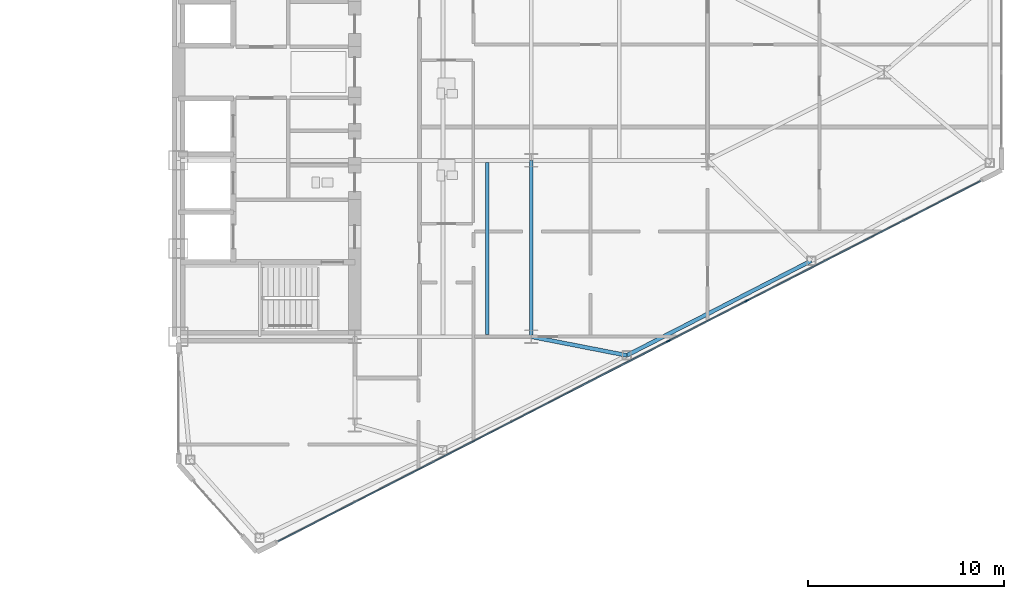
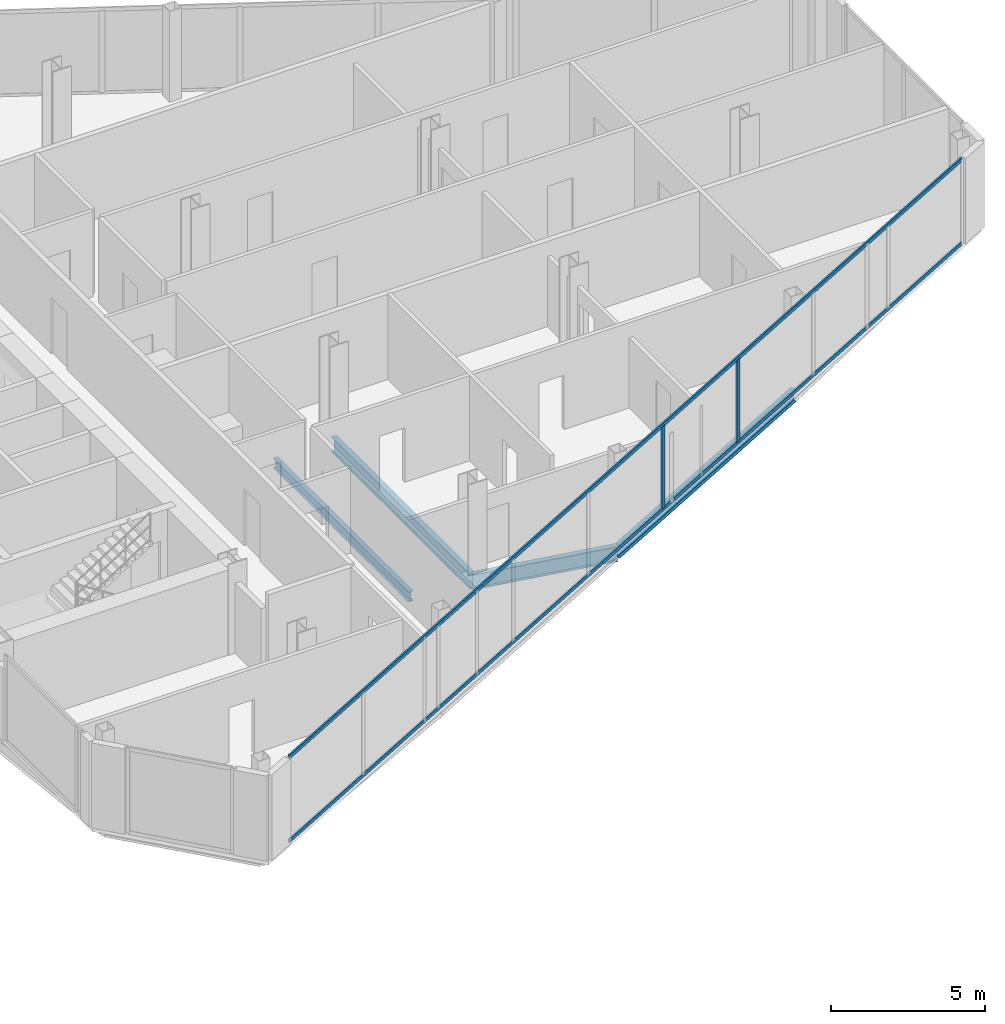
# One storey, part 9 of 24: 4 beams, 4 members, 1 element without a shape of its own.
"""IFC4 building model written with IfcOpenShell, lengths in metres."""

from ifc_helpers import new_model, si_unit, direction, frame, origin, origin_2d, place, context, subcontext, project, spatial, rectangle, i_section, extrude, source, transform, mapped, material, layer, layer_set, material_profile, profile_set, type_object, type_shapes, element, aggregate, save


model = new_model("IFC4")

# Units and contexts
model_context = context("Model", 3, precision=1e-05, world=origin(), true_north=direction((0.0, 1.0)))
body_context = subcontext(model_context, "Body", "Model", "MODEL_VIEW")
ifc_project = project(units=[si_unit("LENGTHUNIT", "METRE"), si_unit("AREAUNIT", "SQUARE_METRE"), si_unit("VOLUMEUNIT", "CUBIC_METRE"), si_unit("PLANEANGLEUNIT", "RADIAN"), si_unit("MASSUNIT", "GRAM", prefix="KILO")], contexts=[model_context])

# Site, building, storey
site_placement = place(None, origin())
site = spatial("IfcSite", under=ifc_project, at=site_placement, CompositionType="ELEMENT")
building_placement = place(site_placement, origin())
building = spatial("IfcBuilding", under=site, at=building_placement, Name="Seokmaru Belvedere", CompositionType="ELEMENT")
storey_placement = place(building_placement, frame((0.0, 0.0, 121.199951171875)))
storey = spatial("IfcBuildingStorey", under=building, at=storey_placement, Name="L32", CompositionType="ELEMENT", Elevation=121.199951171875)

# Beams
ifc_material_1 = material(Name="Steel SM355 (355 MPa)", Category="steel")
ifc_material_profile_1 = material_profile(ifc_material_1, i_section(OverallWidth=0.199951171875, OverallDepth=0.60009765625, WebThickness=0.010986328125, FlangeThickness=0.01708984375, at=origin_2d()), Name="H-600x200x11x17")
ifc_profile_set_1 = profile_set([ifc_material_profile_1], Name="Steel SM355 (355 MPa)")
beam_type_1 = type_object("IfcBeamType", Name="Primary Floor Girder H-600", PredefinedType="BEAM", material=ifc_profile_set_1)
shared_shape_1 = source(origin(), body_context, "Body", "SweptSolid", [
    extrude(i_section(OverallWidth=0.199951171875, OverallDepth=0.60009765625, WebThickness=0.010986328125, FlangeThickness=0.01708984375, at=origin_2d()), origin(), (0.0, 0.0, 1.0), 9.0),
])
beam_1_placement = place(storey_placement, frame((45.5, -13.5, -0.52001953125), z_axis=(0.0, 1.0, 0.0), x_axis=(-1.0, 0.0, 0.0)))
element("IfcBeam", 1, at=beam_1_placement, inside=storey, type_object=beam_type_1, Name="L32 E Interior Grid Girder 1", PredefinedType="BEAM", context=body_context, shape_type="MappedRepresentation", body=[
    mapped(shared_shape_1, transform((0.0, 0.0, 0.0), scale=1.0)),
])
ifc_material_profile_2 = material_profile(ifc_material_1, i_section(OverallWidth=0.18505859375, OverallDepth=0.389892578125, WebThickness=0.008056640625, FlangeThickness=0.011962890625, at=origin_2d()), Name="H-390x185x8x12")
ifc_profile_set_2 = profile_set([ifc_material_profile_2], Name="Steel SM355 (355 MPa)")
beam_type_2 = type_object("IfcBeamType", Name="Secondary Floor Joist H-350", PredefinedType="JOIST", material=ifc_profile_set_2)
shared_shape_2 = source(origin(), body_context, "Body", "SweptSolid", [
    extrude(i_section(OverallWidth=0.18505859375, OverallDepth=0.389892578125, WebThickness=0.008056640625, FlangeThickness=0.011962890625, at=origin_2d()), origin(), (0.0, 0.0, 1.0), 8.7900390625),
])
type_shapes(beam_type_2, [shared_shape_2])
beam_2_placement = place(storey_placement, frame((43.25, -13.39501953125, -0.4150390625), z_axis=(0.0, 1.0, 0.0), x_axis=(-1.0, 0.0, 0.0)))
element("IfcBeam", 2, at=beam_2_placement, inside=storey, type_object=beam_type_2, Name="L32 E Wing Inner Secondary Joist 1", PredefinedType="JOIST", context=body_context, shape_type="MappedRepresentation", body=[
    mapped(shared_shape_2, transform((0.0, 0.0, 0.0), scale=1.0)),
])
ifc_material_profile_3 = material_profile(ifc_material_1, i_section(OverallWidth=0.199951171875, OverallDepth=0.5, WebThickness=0.010009765625, FlangeThickness=0.01611328125, at=origin_2d()), Name="H-500x200x10x16")
ifc_profile_set_3 = profile_set([ifc_material_profile_3], Name="Steel SM355 (355 MPa)")
beam_type_3 = type_object("IfcBeamType", Name="Perimeter Spandrel Beam H-500", PredefinedType="SPANDREL", material=ifc_profile_set_3)
shared_shape_3 = source(origin(), body_context, "Body", "SweptSolid", [
    extrude(i_section(OverallWidth=0.199951171875, OverallDepth=0.5, WebThickness=0.010009765625, FlangeThickness=0.01611328125, at=origin_2d()), origin(), (0.0, 0.0, 1.0), 10.56689453125),
])
type_shapes(beam_type_3, [shared_shape_3])
beam_3_placement = place(storey_placement, frame((50.377197265625, -14.453369140625, -0.469970703125), z_axis=(0.889692588006, 0.456560071455, 0.0), x_axis=(-0.456560071455, 0.889692588006, 0.0)))
element("IfcBeam", 3, at=beam_3_placement, inside=storey, type_object=beam_type_3, Name="L32 E Faceted Flank Spandrel S-3", PredefinedType="SPANDREL", context=body_context, shape_type="MappedRepresentation", body=[
    mapped(shared_shape_3, transform((0.0, 0.0, 0.0), scale=1.0)),
])
shared_shape_4 = source(origin(), body_context, "Body", "SweptSolid", [
    extrude(i_section(OverallWidth=0.199951171875, OverallDepth=0.60009765625, WebThickness=0.010986328125, FlangeThickness=0.01708984375, at=origin_2d()), origin(), (0.0, 0.0, 1.0), 4.969482421875),
])
type_shapes(beam_type_1, [shared_shape_1, shared_shape_4])
beam_4_placement = place(storey_placement, frame((50.377197265625, -14.453369140625, -0.52001953125), z_axis=(-0.98142544456, 0.19184393858, 0.0), x_axis=(-0.19184393858, -0.98142544456, 0.0)))
element("IfcBeam", 4, at=beam_4_placement, inside=storey, type_object=beam_type_1, Name="L32 E Flank Radial Floor Girder S-2", PredefinedType="BEAM", context=body_context, shape_type="MappedRepresentation", body=[
    mapped(shared_shape_4, transform((0.0, 0.0, 0.0), scale=1.0)),
])

# Curtain wall, members
ifc_material_2 = material(Name="Bronze Triple Insulating Glass", Category="glass")
ifc_layer = layer(ifc_material_2, 0.195068359375)
ifc_layer_set = layer_set([ifc_layer], Name="Bronze Triple Insulating Glass")
curtain_wall_type = type_object("IfcCurtainWallType", Name="Sky-Lobby and Mid-Rise Curtain Wall System CW-4", PredefinedType="NOTDEFINED", material=ifc_layer_set)
curtain_wall_placement = place(storey_placement, origin())
curtain_wall = element("IfcCurtainWall", 5, at=curtain_wall_placement, inside=storey, type_object=curtain_wall_type, Name="L32 Curtain Wall EF1", PredefinedType="NOTDEFINED")
ifc_material_3 = material(Name="Anodised Bronze Aluminium", Category="aluminium")
ifc_material_profile_4 = material_profile(ifc_material_3, rectangle(XDim=0.070068359375, YDim=0.195068359375, at=origin_2d()), Name="CW-M-70x195")
ifc_profile_set_4 = profile_set([ifc_material_profile_4], Name="Anodised Bronze Aluminium")
member_type_1 = type_object("IfcMemberType", Name="Bronze Unitised Mullion 70x195", PredefinedType="MULLION", material=ifc_profile_set_4)
shared_shape_5 = source(origin(), body_context, "Body", "SweptSolid", [
    extrude(rectangle(XDim=0.070068359375, YDim=0.195068359375, at=origin_2d()), origin(), (0.0, 0.0, 1.0), 3.25),
])
type_shapes(member_type_1, [shared_shape_5])
member_1_placement = place(storey_placement, frame((52.497314453125, -13.72509765625, 0.06494140625), z_axis=(0.0, 0.0, 1.0), x_axis=(-0.456554528263, 0.889695432562, 0.0)))
member_1 = element("IfcMember", 6, at=member_1_placement, type_object=member_type_1, Name="CW:L32:EF1 Mullion 6", PredefinedType="MULLION", context=body_context, shape_type="MappedRepresentation", body=[
    mapped(shared_shape_5, transform((0.0, 0.0, 0.0), scale=1.0)),
])
member_2_placement = place(storey_placement, frame((56.4921875, -11.675048828125, 0.06494140625), z_axis=(0.0, 0.0, 1.0), x_axis=(-0.456554528263, 0.889695432562, 0.0)))
member_2 = element("IfcMember", 7, at=member_2_placement, type_object=member_type_1, Name="CW:L32:EF1 Mullion 7", PredefinedType="MULLION", context=body_context, shape_type="MappedRepresentation", body=[
    mapped(shared_shape_5, transform((0.0, 0.0, 0.0), scale=1.0)),
])
ifc_material_profile_5 = material_profile(ifc_material_3, rectangle(XDim=0.06494140625, YDim=0.14990234375, at=origin_2d()), Name="CW-T-65x150")
ifc_profile_set_5 = profile_set([ifc_material_profile_5], Name="Anodised Bronze Aluminium")
member_type_2 = type_object("IfcMemberType", Name="Bronze Unitised Transom 65x150", PredefinedType="USERDEFINED", material=ifc_profile_set_5)
shared_shape_6 = source(origin(), body_context, "Body", "SweptSolid", [
    extrude(rectangle(XDim=0.06494140625, YDim=0.14990234375, at=origin_2d()), origin(), (0.0, 0.0, 1.0), 40.271240234375),
])
type_shapes(member_type_2, [shared_shape_6])
member_3_placement = place(storey_placement, frame((32.58544921875, -23.943115234375, 0.032470703125), z_axis=(0.889693089107, 0.456559094965, 0.0), x_axis=(-0.456559094965, 0.889693089107, 0.0)))
member_3 = element("IfcMember", 8, at=member_3_placement, type_object=member_type_2, Name="CW:L32:EF1 Continuous Transom 1", ObjectType="TRANSOM", PredefinedType="USERDEFINED", context=body_context, shape_type="MappedRepresentation", body=[
    mapped(shared_shape_6, transform((0.0, 0.0, 0.0), scale=1.0)),
])
member_4_placement = place(storey_placement, frame((32.58544921875, -23.943115234375, 3.34765625), z_axis=(0.889693089107, 0.456559094965, 0.0), x_axis=(-0.456559094965, 0.889693089107, 0.0)))
member_4 = element("IfcMember", 9, at=member_4_placement, type_object=member_type_2, Name="CW:L32:EF1 Continuous Transom 2", ObjectType="TRANSOM", PredefinedType="USERDEFINED", context=body_context, shape_type="MappedRepresentation", body=[
    mapped(shared_shape_6, transform((0.0, 0.0, 0.0), scale=1.0)),
])
aggregate(curtain_wall, [member_1, member_2, member_3, member_4])

save(model, "model.ifc")
